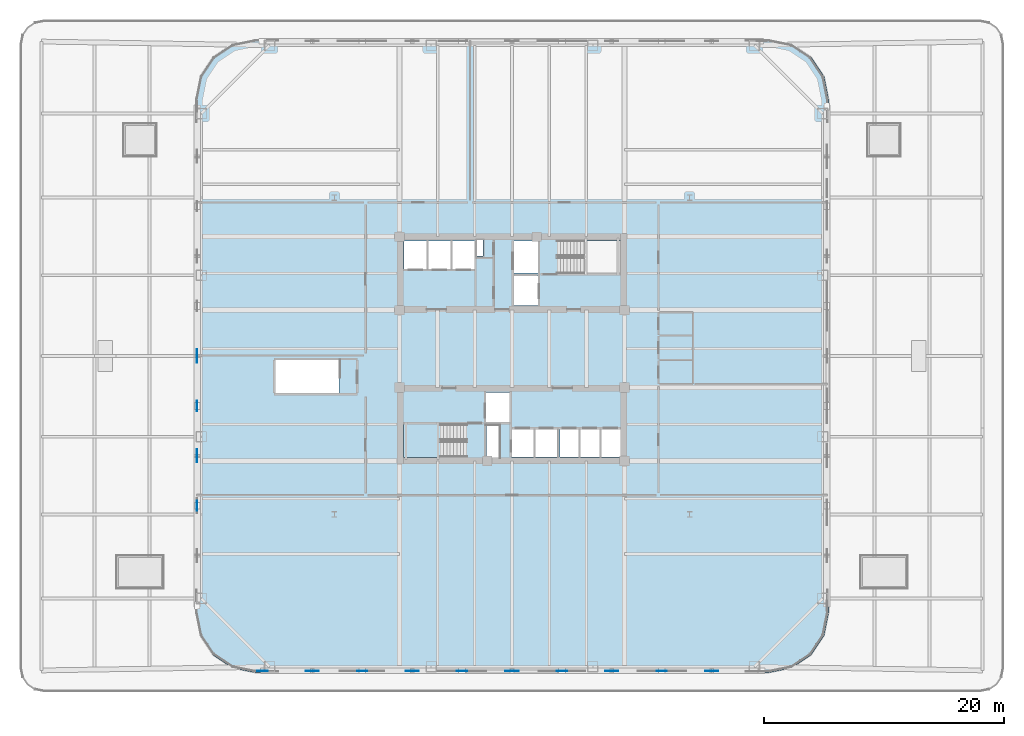
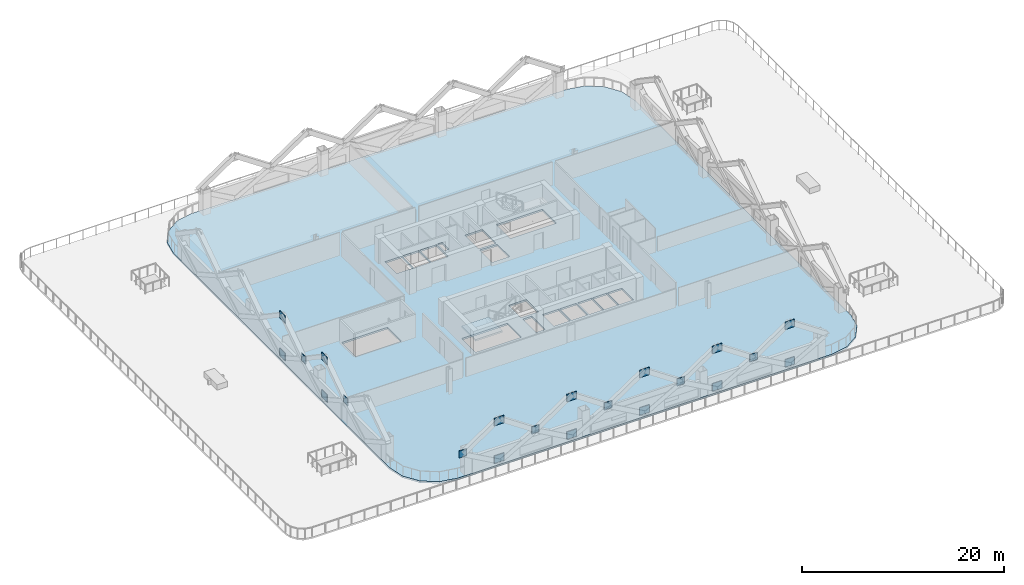
# One storey, part 4 of 17: 21 plates, 2 slabs, 1 element without a shape of its own.
"""IFC4 building model written with IfcOpenShell, lengths in metres."""

from ifc_helpers import new_model, si_unit, direction, frame, origin, origin_2d, place, context, subcontext, project, spatial, polyline, rectangle, outline, extrude, material, layer, layer_set, type_object, element, aggregate, save


model = new_model("IFC4")

# Units and contexts
model_context = context("Model", 3, precision=1e-05, world=origin(), true_north=direction((0.0, 1.0)))
body_context = subcontext(model_context, "Body", "Model", "MODEL_VIEW")
ifc_project = project(units=[si_unit("LENGTHUNIT", "METRE"), si_unit("AREAUNIT", "SQUARE_METRE"), si_unit("VOLUMEUNIT", "CUBIC_METRE"), si_unit("PLANEANGLEUNIT", "RADIAN"), si_unit("MASSUNIT", "GRAM", prefix="KILO")], contexts=[model_context])

# Site, building, storey
site_placement = place(None, origin())
site = spatial("IfcSite", under=ifc_project, at=site_placement, CompositionType="ELEMENT")
building_placement = place(site_placement, origin())
building = spatial("IfcBuilding", under=site, at=building_placement, Name="Qhalaya Broadcast Tower", CompositionType="ELEMENT")
storey_placement = place(building_placement, frame((0.0, 0.0, 26.10009765625)))
storey = spatial("IfcBuildingStorey", under=building, at=storey_placement, Name="L06", CompositionType="ELEMENT", Elevation=26.10009765625)

# Plates
ifc_material_1 = material(Name="Structural Steel ASTM A572 Grade 50", Category="steel")
ifc_layer_1 = layer(ifc_material_1, 0.054931640625, Name="Structural Steel ASTM A572 Grade 50")
ifc_layer_set_1 = layer_set([ifc_layer_1], Name="Structural Steel ASTM A572 Grade 50")
plate_type = type_object("IfcPlateType", Name="Exoskeleton Diamond Node Gusset Plate NP-01", PredefinedType="USERDEFINED", material=ifc_layer_set_1)
for number, where, z_axis, x_axis, name in (
    (1, (-16.639892578125, -26.239990234375, 0.2099609375), (0.0, 0.0, 1.0), (1.0, 0.0, 0.0), "Exoskeleton Diamond Node B1-S1-BOT"),
    (2, (-16.639892578125, -26.239990234375, 4.75), (0.0, 0.0, 1.0), (1.0, 0.0, 0.0), "Exoskeleton Diamond Node B1-S1-TOP"),
):
    element("IfcPlate", number, at=place(storey_placement, frame(where, z_axis=z_axis, x_axis=x_axis)), inside=storey, type_object=plate_type, Name=name, ObjectType="GUSSET_PLATE", PredefinedType="USERDEFINED", context=body_context, shape_type="SweptSolid", body=[
        extrude(rectangle(XDim=1.10009765625, YDim=0.054931640625, at=origin_2d()), origin(), (0.0, 0.0, 1.0), 0.89990234375),
    ])
plate_1_placement = place(storey_placement, frame((-20.800048828125, -26.239990234375, 2.264892578125), z_axis=(0.0, 0.0, 1.0), x_axis=(1.0, 0.0, 0.0)))
element("IfcPlate", 3, at=plate_1_placement, inside=storey, type_object=plate_type, Name="Exoskeleton Diamond Node B1-S1-MDL", ObjectType="GUSSET_PLATE", PredefinedType="USERDEFINED", context=body_context, shape_type="SweptSolid", body=[
    extrude(rectangle(XDim=0.85009765625, YDim=0.054931640625, at=origin_2d()), origin(), (0.0, 0.0, 1.0), 0.85009765625),
])
for number, where, z_axis, x_axis, name in (
    (4, (-8.320068359375, -26.239990234375, 0.2099609375), (0.0, 0.0, 1.0), (1.0, 0.0, 0.0), "Exoskeleton Diamond Node B1-S2-BOT"),
    (5, (-8.320068359375, -26.239990234375, 4.75), (0.0, 0.0, 1.0), (1.0, 0.0, 0.0), "Exoskeleton Diamond Node B1-S2-TOP"),
):
    element("IfcPlate", number, at=place(storey_placement, frame(where, z_axis=z_axis, x_axis=x_axis)), inside=storey, type_object=plate_type, Name=name, ObjectType="GUSSET_PLATE", PredefinedType="USERDEFINED", context=body_context, shape_type="SweptSolid", body=[
        extrude(rectangle(XDim=1.10009765625, YDim=0.054931640625, at=origin_2d()), origin(), (0.0, 0.0, 1.0), 0.89990234375),
    ])
plate_2_placement = place(storey_placement, frame((-12.47998046875, -26.239990234375, 2.264892578125), z_axis=(0.0, 0.0, 1.0), x_axis=(1.0, 0.0, 0.0)))
element("IfcPlate", 6, at=plate_2_placement, inside=storey, type_object=plate_type, Name="Exoskeleton Diamond Node B1-S2-MDL", ObjectType="GUSSET_PLATE", PredefinedType="USERDEFINED", context=body_context, shape_type="SweptSolid", body=[
    extrude(rectangle(XDim=0.85009765625, YDim=0.054931640625, at=origin_2d()), origin(), (0.0, 0.0, 1.0), 0.85009765625),
])
for number, where, z_axis, x_axis, name in (
    (7, (0.0, -26.239990234375, 0.2099609375), (0.0, 0.0, 1.0), (1.0, 0.0, 0.0), "Exoskeleton Diamond Node B1-S3-BOT"),
    (8, (0.0, -26.239990234375, 4.75), (0.0, 0.0, 1.0), (1.0, 0.0, 0.0), "Exoskeleton Diamond Node B1-S3-TOP"),
):
    element("IfcPlate", number, at=place(storey_placement, frame(where, z_axis=z_axis, x_axis=x_axis)), inside=storey, type_object=plate_type, Name=name, ObjectType="GUSSET_PLATE", PredefinedType="USERDEFINED", context=body_context, shape_type="SweptSolid", body=[
        extrude(rectangle(XDim=1.10009765625, YDim=0.054931640625, at=origin_2d()), origin(), (0.0, 0.0, 1.0), 0.89990234375),
    ])
plate_3_placement = place(storey_placement, frame((-4.159912109375, -26.239990234375, 2.264892578125), z_axis=(0.0, 0.0, 1.0), x_axis=(1.0, 0.0, 0.0)))
element("IfcPlate", 9, at=plate_3_placement, inside=storey, type_object=plate_type, Name="Exoskeleton Diamond Node B1-S3-MDL", ObjectType="GUSSET_PLATE", PredefinedType="USERDEFINED", context=body_context, shape_type="SweptSolid", body=[
    extrude(rectangle(XDim=0.85009765625, YDim=0.054931640625, at=origin_2d()), origin(), (0.0, 0.0, 1.0), 0.85009765625),
])
for number, where, z_axis, x_axis, name in (
    (10, (8.320068359375, -26.239990234375, 0.2099609375), (0.0, 0.0, 1.0), (1.0, 0.0, 0.0), "Exoskeleton Diamond Node B1-S4-BOT"),
    (11, (8.320068359375, -26.239990234375, 4.75), (0.0, 0.0, 1.0), (1.0, 0.0, 0.0), "Exoskeleton Diamond Node B1-S4-TOP"),
):
    element("IfcPlate", number, at=place(storey_placement, frame(where, z_axis=z_axis, x_axis=x_axis)), inside=storey, type_object=plate_type, Name=name, ObjectType="GUSSET_PLATE", PredefinedType="USERDEFINED", context=body_context, shape_type="SweptSolid", body=[
        extrude(rectangle(XDim=1.10009765625, YDim=0.054931640625, at=origin_2d()), origin(), (0.0, 0.0, 1.0), 0.89990234375),
    ])
plate_4_placement = place(storey_placement, frame((4.159912109375, -26.239990234375, 2.264892578125), z_axis=(0.0, 0.0, 1.0), x_axis=(1.0, 0.0, 0.0)))
element("IfcPlate", 12, at=plate_4_placement, inside=storey, type_object=plate_type, Name="Exoskeleton Diamond Node B1-S4-MDL", ObjectType="GUSSET_PLATE", PredefinedType="USERDEFINED", context=body_context, shape_type="SweptSolid", body=[
    extrude(rectangle(XDim=0.85009765625, YDim=0.054931640625, at=origin_2d()), origin(), (0.0, 0.0, 1.0), 0.85009765625),
])
for number, where, z_axis, x_axis, name in (
    (13, (16.639892578125, -26.239990234375, 0.2099609375), (0.0, 0.0, 1.0), (1.0, 0.0, 0.0), "Exoskeleton Diamond Node B1-S5-BOT"),
    (14, (16.639892578125, -26.239990234375, 4.75), (0.0, 0.0, 1.0), (1.0, 0.0, 0.0), "Exoskeleton Diamond Node B1-S5-TOP"),
):
    element("IfcPlate", number, at=place(storey_placement, frame(where, z_axis=z_axis, x_axis=x_axis)), inside=storey, type_object=plate_type, Name=name, ObjectType="GUSSET_PLATE", PredefinedType="USERDEFINED", context=body_context, shape_type="SweptSolid", body=[
        extrude(rectangle(XDim=1.10009765625, YDim=0.054931640625, at=origin_2d()), origin(), (0.0, 0.0, 1.0), 0.89990234375),
    ])
plate_5_placement = place(storey_placement, frame((12.47998046875, -26.239990234375, 2.264892578125), z_axis=(0.0, 0.0, 1.0), x_axis=(1.0, 0.0, 0.0)))
element("IfcPlate", 15, at=plate_5_placement, inside=storey, type_object=plate_type, Name="Exoskeleton Diamond Node B1-S5-MDL", ObjectType="GUSSET_PLATE", PredefinedType="USERDEFINED", context=body_context, shape_type="SweptSolid", body=[
    extrude(rectangle(XDim=0.85009765625, YDim=0.054931640625, at=origin_2d()), origin(), (0.0, 0.0, 1.0), 0.85009765625),
])
for number, where, z_axis, x_axis, name in (
    (16, (-26.239990234375, 0.0, 0.2099609375), (0.0, 0.0, 1.0), (0.0, 1.0, 0.0), "Exoskeleton Diamond Node B1-W3-BOT"),
    (17, (-26.239990234375, 0.0, 4.75), (0.0, 0.0, 1.0), (0.0, 1.0, 0.0), "Exoskeleton Diamond Node B1-W3-TOP"),
    (18, (-26.239990234375, -8.320068359375, 0.2099609375), (0.0, 0.0, 1.0), (0.0, 1.0, 0.0), "Exoskeleton Diamond Node B1-W4-BOT"),
    (19, (-26.239990234375, -8.320068359375, 4.75), (0.0, 0.0, 1.0), (0.0, 1.0, 0.0), "Exoskeleton Diamond Node B1-W4-TOP"),
):
    element("IfcPlate", number, at=place(storey_placement, frame(where, z_axis=z_axis, x_axis=x_axis)), inside=storey, type_object=plate_type, Name=name, ObjectType="GUSSET_PLATE", PredefinedType="USERDEFINED", context=body_context, shape_type="SweptSolid", body=[
        extrude(rectangle(XDim=1.10009765625, YDim=0.054931640625, at=origin_2d()), origin(), (0.0, 0.0, 1.0), 0.89990234375),
    ])
for number, where, z_axis, x_axis, name in (
    (20, (-26.239990234375, -4.159912109375, 2.264892578125), (0.0, 0.0, 1.0), (0.0, 1.0, 0.0), "Exoskeleton Diamond Node B1-W4-MDL"),
    (21, (-26.239990234375, -12.47998046875, 2.264892578125), (0.0, 0.0, 1.0), (0.0, 1.0, 0.0), "Exoskeleton Diamond Node B1-W5-MDL"),
):
    element("IfcPlate", number, at=place(storey_placement, frame(where, z_axis=z_axis, x_axis=x_axis)), inside=storey, type_object=plate_type, Name=name, ObjectType="GUSSET_PLATE", PredefinedType="USERDEFINED", context=body_context, shape_type="SweptSolid", body=[
        extrude(rectangle(XDim=0.85009765625, YDim=0.054931640625, at=origin_2d()), origin(), (0.0, 0.0, 1.0), 0.85009765625),
    ])

# Stair, slab
ifc_material_2 = material(Name="Concrete C40/50", Category="concrete")
stair_type = type_object("IfcStairType", Name="Protected Dogleg Core Stair 3150", PredefinedType="TWO_STRAIGHT_RUN_STAIR", material=ifc_material_2)
stair_placement = place(storey_placement, origin())
stair = element("IfcStair", 22, at=stair_placement, inside=storey, type_object=stair_type, Name="L06 South Core Exit Stair ST-2", PredefinedType="TWO_STRAIGHT_RUN_STAIR")
ifc_layer_2 = layer(ifc_material_2, 0.199951171875, Name="Concrete C40/50")
ifc_layer_set_2 = layer_set([ifc_layer_2], Name="Concrete C40/50")
slab_type_1 = type_object("IfcSlabType", Name="Stair & Ramp Half-Landing Slab 200", PredefinedType="LANDING", material=ifc_layer_set_2)
slab_1_placement = place(storey_placement, frame((0.0, 0.0, 1.324951171875)))
slab_1 = element("IfcSlab", 23, at=slab_1_placement, type_object=slab_type_1, Name="ST-2 landing 1", PredefinedType="LANDING", context=body_context, shape_type="SweptSolid", body=[
    extrude(outline(polyline([(-5.955078125, -5.679931640625), (-9.050048828125, -5.679931640625), (-9.050048828125, -8.43994140625), (-5.955078125, -8.43994140625), (-5.955078125, -5.679931640625)])), origin(), (0.0, 0.0, 1.0), 0.199951171875),
])
aggregate(stair, [slab_1])

# Slab
ifc_layer_3 = layer(ifc_material_2, 0.219970703125, Name="Concrete C40/50")
ifc_layer_set_3 = layer_set([ifc_layer_3], Name="Concrete C40/50")
slab_type_2 = type_object("IfcSlabType", Name="Tower Composite Floor Slab 220", PredefinedType="FLOOR", material=ifc_layer_set_3)
slab_2_placement = place(storey_placement, frame((0.0, 0.0, -0.22021484375)))
element("IfcSlab", 24, at=slab_2_placement, inside=storey, type_object=slab_type_2, Name="L06 Main Structural Floor Slab", PredefinedType="FLOOR", context=body_context, shape_type="SweptSolid", body=[
    extrude(outline(polyline([(21.39990234375, -26.39990234375), (23.3134765625, -26.019287109375), (24.935546875, -24.935546875), (26.019287109375, -23.3134765625), (26.39990234375, -21.39990234375), (26.39990234375, 21.39990234375), (26.019287109375, 23.3134765625), (24.935546875, 24.935546875), (23.3134765625, 26.019287109375), (21.39990234375, 26.39990234375), (-21.39990234375, 26.39990234375), (-23.3134765625, 26.019287109375), (-24.935546875, 24.935546875), (-26.019287109375, 23.3134765625), (-26.39990234375, 21.39990234375), (-26.39990234375, -21.39990234375), (-26.019287109375, -23.3134765625), (-24.935546875, -24.935546875), (-23.3134765625, -26.019287109375), (-21.39990234375, -26.39990234375), (21.39990234375, -26.39990234375)]), holes=[polyline([(3.784912109375, 9.639892578125), (9.050048828125, 9.639892578125), (9.050048828125, 6.8798828125), (3.784912109375, 6.8798828125), (3.784912109375, 9.639892578125)]), polyline([(-3.784912109375, -8.43994140625), (-9.050048828125, -8.43994140625), (-9.050048828125, -5.679931640625), (-3.784912109375, -5.679931640625), (-3.784912109375, -8.43994140625)]), polyline([(-14.43505859375, -3.10009765625), (-19.699951171875, -3.10009765625), (-19.699951171875, -0.340087890625), (-14.43505859375, -0.340087890625), (-14.43505859375, -3.10009765625)]), polyline([(0.14990234375, 6.64990234375), (2.14990234375, 6.64990234375), (2.14990234375, 4.199951171875), (0.14990234375, 4.199951171875), (0.14990234375, 6.64990234375)]), polyline([(0.14990234375, 9.60009765625), (2.14990234375, 9.60009765625), (2.14990234375, 6.89990234375), (0.14990234375, 6.89990234375), (0.14990234375, 9.60009765625)]), polyline([(-2.14990234375, -3.050048828125), (-0.14990234375, -3.050048828125), (-0.14990234375, -5.5), (-2.14990234375, -5.5), (-2.14990234375, -3.050048828125)]), polyline([(-9.0, 9.60009765625), (-7.1201171875, 9.60009765625), (-7.1201171875, 7.25), (-9.0, 7.25), (-9.0, 9.60009765625)]), polyline([(-7.0, 9.60009765625), (-5.1201171875, 9.60009765625), (-5.1201171875, 7.25), (-7.0, 7.25), (-7.0, 9.60009765625)]), polyline([(-5.0, 9.60009765625), (-3.1201171875, 9.60009765625), (-3.1201171875, 7.25), (-5.0, 7.25), (-5.0, 9.60009765625)]), polyline([(-0.050048828125, -6.10009765625), (1.830078125, -6.10009765625), (1.830078125, -8.39990234375), (-0.050048828125, -8.39990234375), (-0.050048828125, -6.10009765625)]), polyline([(1.949951171875, -6.10009765625), (3.830078125, -6.10009765625), (3.830078125, -8.39990234375), (1.949951171875, -8.39990234375), (1.949951171875, -6.10009765625)]), polyline([(4.0, -6.10009765625), (5.60009765625, -6.10009765625), (5.60009765625, -8.39990234375), (4.0, -8.39990234375), (4.0, -6.10009765625)]), polyline([(5.719970703125, -6.10009765625), (7.320068359375, -6.10009765625), (7.320068359375, -8.39990234375), (5.719970703125, -8.39990234375), (5.719970703125, -6.10009765625)]), polyline([(7.43994140625, -6.10009765625), (9.0400390625, -6.10009765625), (9.0400390625, -8.39990234375), (7.43994140625, -8.39990234375), (7.43994140625, -6.10009765625)]), polyline([(-2.919921875, 9.659912109375), (-2.419921875, 9.659912109375), (-2.419921875, 8.320068359375), (-2.919921875, 8.320068359375), (-2.919921875, 9.659912109375)]), polyline([(-2.1201171875, -5.820068359375), (-1.080078125, -5.820068359375), (-1.080078125, -8.4599609375), (-2.1201171875, -8.4599609375), (-2.1201171875, -5.820068359375)])]), origin(), (0.0, 0.0, 1.0), 0.22021484375),
])

save(model, "model.ifc")
